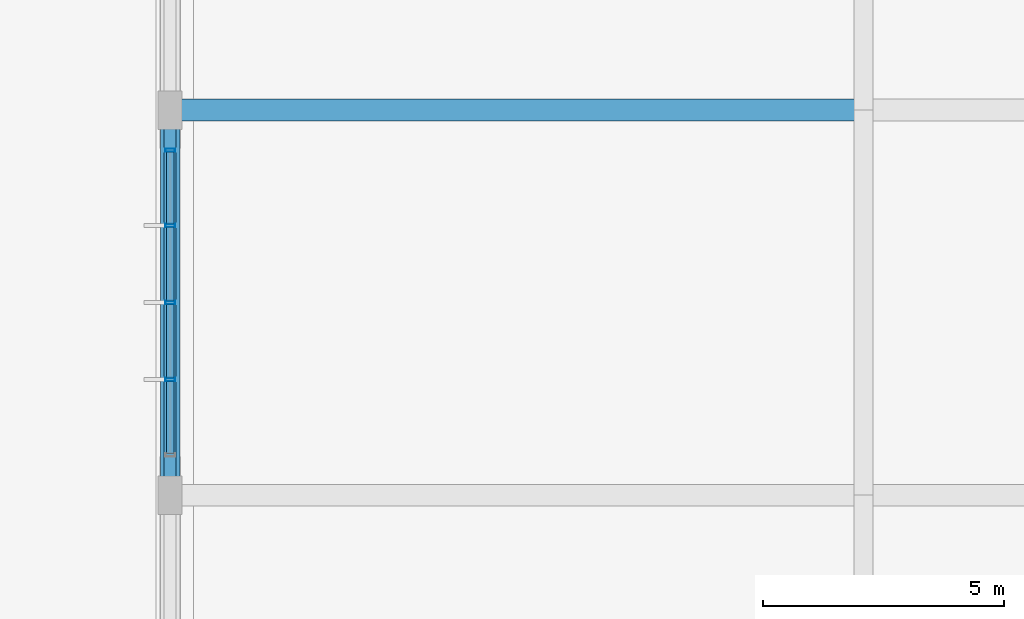
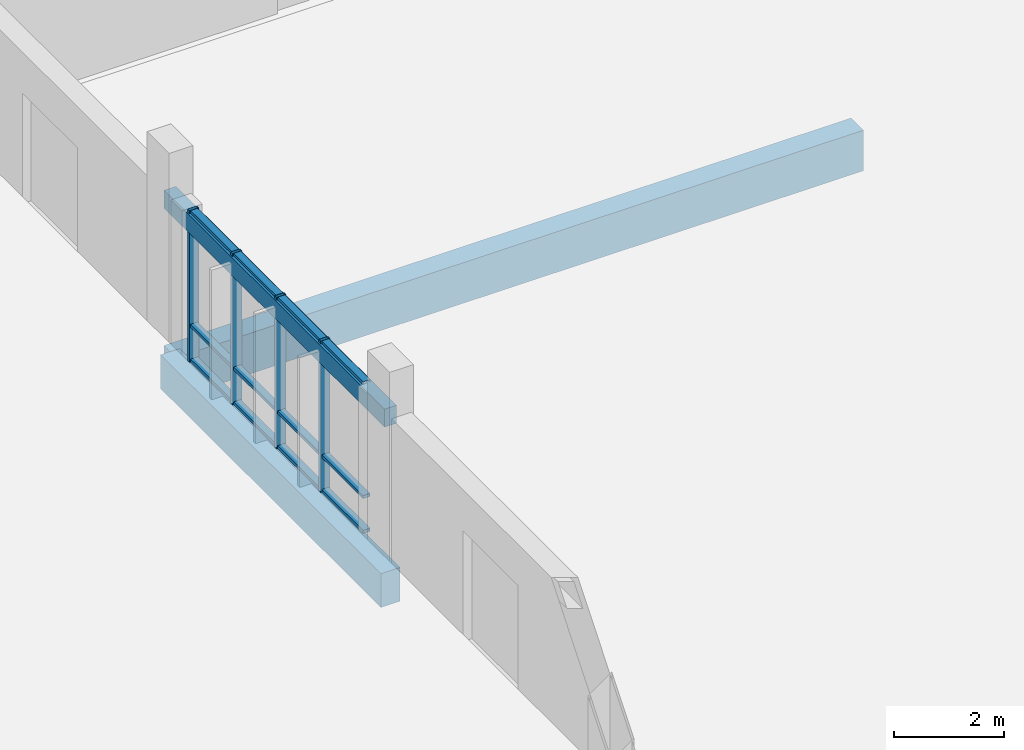
# One storey, part 60 of 233: 16 members, 3 beams, 1 element without a shape of its own.
"""IFC4 building model written with IfcOpenShell, lengths in metres."""

from ifc_helpers import new_model, si_unit, direction, frame, origin, origin_2d, place, context, subcontext, project, spatial, rectangle, hollow_rectangle, extrude, material, material_profile, profile_set, type_object, element, aggregate, save


model = new_model("IFC4")

# Units and contexts
model_context = context("Model", 3, precision=1e-05, world=origin(), true_north=direction((0.0, 1.0)))
body_context = subcontext(model_context, "Body", "Model", "MODEL_VIEW")
ifc_project = project(units=[si_unit("LENGTHUNIT", "METRE"), si_unit("AREAUNIT", "SQUARE_METRE"), si_unit("VOLUMEUNIT", "CUBIC_METRE"), si_unit("PLANEANGLEUNIT", "RADIAN"), si_unit("MASSUNIT", "GRAM", prefix="KILO")], contexts=[model_context])

# Site, building, storey
site_placement = place(None, origin())
site = spatial("IfcSite", under=ifc_project, at=site_placement, CompositionType="ELEMENT")
building_placement = place(site_placement, origin())
building = spatial("IfcBuilding", under=site, at=building_placement, Name="Zavelmont Quarter", CompositionType="ELEMENT")
storey_placement = place(building_placement, origin())
storey = spatial("IfcBuildingStorey", under=building, at=storey_placement, Name="L00", CompositionType="ELEMENT", Elevation=0.0)

# Beams
ifc_material_1 = material(Name="Concrete C35/45", Category="concrete")
ifc_material_profile_1 = material_profile(ifc_material_1, rectangle(XDim=0.25, YDim=0.39990234375, at=origin_2d()), Name="RC250X400")
ifc_profile_set_1 = profile_set([ifc_material_profile_1], Name="Concrete C35/45")
beam_type_1 = type_object("IfcBeamType", Name="BM04", PredefinedType="LINTEL", material=ifc_profile_set_1)
beam_1_placement = place(storey_placement, frame((55.199951171875, 46.0, 3.10009765625), z_axis=(0.0, 1.0, 0.0), x_axis=(-1.0, 0.0, 0.0)))
element("IfcBeam", 1, at=beam_1_placement, inside=storey, type_object=beam_type_1, Name="L00 beam BM04 9/H to 9/J", PredefinedType="LINTEL", context=body_context, shape_type="SweptSolid", body=[
    extrude(rectangle(XDim=0.25, YDim=0.39990234375, at=origin_2d()), origin(), (0.0, 0.0, 1.0), 8.0),
])
ifc_material_2 = material(Name="Concrete C40/50", Category="concrete")
ifc_material_profile_2 = material_profile(ifc_material_2, rectangle(XDim=0.39990234375, YDim=0.75, at=origin_2d()), Name="RC400X750")
ifc_profile_set_2 = profile_set([ifc_material_profile_2], Name="Concrete C40/50")
beam_type_2 = type_object("IfcBeamType", Name="BM05", PredefinedType="BEAM", material=ifc_profile_set_2)
beam_2_placement = place(storey_placement, frame((55.199951171875, 46.0, -0.695068359375), z_axis=(0.0, 1.0, 0.0), x_axis=(-1.0, 0.0, 0.0)))
element("IfcBeam", 2, at=beam_2_placement, inside=storey, type_object=beam_type_2, Name="L00 beam BM05 9/H to 9/J", PredefinedType="BEAM", context=body_context, shape_type="SweptSolid", body=[
    extrude(rectangle(XDim=0.39990234375, YDim=0.75, at=origin_2d()), origin(), (0.0, 0.0, 1.0), 8.0),
])
ifc_material_profile_3 = material_profile(ifc_material_2, rectangle(XDim=0.449951171875, YDim=0.89990234375, at=origin_2d()), Name="RC450X900")
ifc_profile_set_3 = profile_set([ifc_material_profile_3], Name="Concrete C40/50")
beam_type_3 = type_object("IfcBeamType", Name="BM06", PredefinedType="BEAM", material=ifc_profile_set_3)
beam_3_placement = place(storey_placement, frame((55.199951171875, 54.0, -0.77001953125), z_axis=(1.0, 0.0, 0.0), x_axis=(0.0, 1.0, 0.0)))
element("IfcBeam", 3, at=beam_3_placement, inside=storey, type_object=beam_type_3, Name="L00 beam BM06 9/J to 11/J", PredefinedType="BEAM", context=body_context, shape_type="SweptSolid", body=[
    extrude(rectangle(XDim=0.449951171875, YDim=0.89990234375, at=origin_2d()), origin(), (0.0, 0.0, 1.0), 14.400146484375),
])

# Curtain wall, members
ifc_material_3 = material(Name="Thermally broken aluminium and double low-E safety glazing", Category="aluminium")
curtain_wall_type = type_object("IfcCurtainWallType", Name="CW-640X336", PredefinedType="NOTDEFINED", material=ifc_material_3)
curtain_wall_placement = place(storey_placement, origin())
curtain_wall = element("IfcCurtainWall", 4, at=curtain_wall_placement, inside=storey, type_object=curtain_wall_type, Name="L00 unitised curtain wall CW-640X336", PredefinedType="NOTDEFINED")
ifc_material_4 = material(Name="Powder-coated aluminium EN AW-6063-T6", Category="aluminium")
ifc_material_profile_4 = material_profile(ifc_material_4, hollow_rectangle(XDim=0.070068359375, YDim=0.199951171875, WallThickness=0.0048828125, at=origin_2d()), Name="CWM70X200")
ifc_profile_set_4 = profile_set([ifc_material_profile_4], Name="Powder-coated aluminium EN AW-6063-T6")
member_type_1 = type_object("IfcMemberType", Name="CWM02", PredefinedType="MULLION", material=ifc_profile_set_4)
member_1_placement = place(storey_placement, frame((55.199951171875, 48.39990234375, 0.0), z_axis=(0.0, 0.0, 1.0), x_axis=(0.0, 1.0, 0.0)))
member_1 = element("IfcMember", 5, at=member_1_placement, type_object=member_type_1, Name="CW-640X336 mullion 2", PredefinedType="MULLION", context=body_context, shape_type="SweptSolid", body=[
    extrude(hollow_rectangle(XDim=0.070068359375, YDim=0.199951171875, WallThickness=0.0048828125, at=origin_2d()), origin(), (0.0, 0.0, 1.0), 3.360107421875),
])
member_2_placement = place(storey_placement, frame((55.199951171875, 50.0, 0.0), z_axis=(0.0, 0.0, 1.0), x_axis=(0.0, 1.0, 0.0)))
member_2 = element("IfcMember", 6, at=member_2_placement, type_object=member_type_1, Name="CW-640X336 mullion 3", PredefinedType="MULLION", context=body_context, shape_type="SweptSolid", body=[
    extrude(hollow_rectangle(XDim=0.070068359375, YDim=0.199951171875, WallThickness=0.0048828125, at=origin_2d()), origin(), (0.0, 0.0, 1.0), 3.360107421875),
])
member_3_placement = place(storey_placement, frame((55.199951171875, 51.60009765625, 0.0), z_axis=(0.0, 0.0, 1.0), x_axis=(0.0, 1.0, 0.0)))
member_3 = element("IfcMember", 7, at=member_3_placement, type_object=member_type_1, Name="CW-640X336 mullion 4", PredefinedType="MULLION", context=body_context, shape_type="SweptSolid", body=[
    extrude(hollow_rectangle(XDim=0.070068359375, YDim=0.199951171875, WallThickness=0.0048828125, at=origin_2d()), origin(), (0.0, 0.0, 1.0), 3.360107421875),
])
member_4_placement = place(storey_placement, frame((55.199951171875, 53.1650390625, 0.0), z_axis=(0.0, 0.0, 1.0), x_axis=(0.0, 1.0, 0.0)))
member_4 = element("IfcMember", 8, at=member_4_placement, type_object=member_type_1, Name="CW-640X336 mullion 5", PredefinedType="MULLION", context=body_context, shape_type="SweptSolid", body=[
    extrude(hollow_rectangle(XDim=0.070068359375, YDim=0.199951171875, WallThickness=0.0048828125, at=origin_2d()), origin(), (0.0, 0.0, 1.0), 3.360107421875),
])
ifc_material_profile_5 = material_profile(ifc_material_4, hollow_rectangle(XDim=0.14990234375, YDim=0.070068359375, WallThickness=0.00439453125, at=origin_2d()), Name="CWT70X150")
ifc_profile_set_5 = profile_set([ifc_material_profile_5], Name="Powder-coated aluminium EN AW-6063-T6")
member_type_2 = type_object("IfcMemberType", Name="CWT02", PredefinedType="NOTDEFINED", material=ifc_profile_set_5)
member_5_placement = place(storey_placement, frame((55.199951171875, 46.8701171875, 0.034912109375), z_axis=(0.0, 1.0, 0.0), x_axis=(-1.0, 0.0, 0.0)))
member_5 = element("IfcMember", 9, at=member_5_placement, type_object=member_type_2, Name="CW-640X336 transom 1.1", ObjectType="TRANSOM", PredefinedType="USERDEFINED", context=body_context, shape_type="SweptSolid", body=[
    extrude(hollow_rectangle(XDim=0.14990234375, YDim=0.070068359375, WallThickness=0.00439453125, at=origin_2d()), origin(), (0.0, 0.0, 1.0), 1.494873046875),
])
member_6_placement = place(storey_placement, frame((55.199951171875, 46.8701171875, 0.805908203125), z_axis=(0.0, 1.0, 0.0), x_axis=(-1.0, 0.0, 0.0)))
member_6 = element("IfcMember", 10, at=member_6_placement, type_object=member_type_2, Name="CW-640X336 transom 1.2", ObjectType="TRANSOM", PredefinedType="USERDEFINED", context=body_context, shape_type="SweptSolid", body=[
    extrude(hollow_rectangle(XDim=0.14990234375, YDim=0.070068359375, WallThickness=0.00439453125, at=origin_2d()), origin(), (0.0, 0.0, 1.0), 1.494873046875),
])
member_7_placement = place(storey_placement, frame((55.199951171875, 46.8701171875, 3.324951171875), z_axis=(0.0, 1.0, 0.0), x_axis=(-1.0, 0.0, 0.0)))
member_7 = element("IfcMember", 11, at=member_7_placement, type_object=member_type_2, Name="CW-640X336 transom 1.3", ObjectType="TRANSOM", PredefinedType="USERDEFINED", context=body_context, shape_type="SweptSolid", body=[
    extrude(hollow_rectangle(XDim=0.14990234375, YDim=0.070068359375, WallThickness=0.00439453125, at=origin_2d()), origin(), (0.0, 0.0, 1.0), 1.494873046875),
])
member_8_placement = place(storey_placement, frame((55.199951171875, 48.43505859375, 0.034912109375), z_axis=(0.0, 1.0, 0.0), x_axis=(-1.0, 0.0, 0.0)))
member_8 = element("IfcMember", 12, at=member_8_placement, type_object=member_type_2, Name="CW-640X336 transom 2.1", ObjectType="TRANSOM", PredefinedType="USERDEFINED", context=body_context, shape_type="SweptSolid", body=[
    extrude(hollow_rectangle(XDim=0.14990234375, YDim=0.070068359375, WallThickness=0.00439453125, at=origin_2d()), origin(), (0.0, 0.0, 1.0), 1.530029296875),
])
member_9_placement = place(storey_placement, frame((55.199951171875, 48.43505859375, 0.805908203125), z_axis=(0.0, 1.0, 0.0), x_axis=(-1.0, 0.0, 0.0)))
member_9 = element("IfcMember", 13, at=member_9_placement, type_object=member_type_2, Name="CW-640X336 transom 2.2", ObjectType="TRANSOM", PredefinedType="USERDEFINED", context=body_context, shape_type="SweptSolid", body=[
    extrude(hollow_rectangle(XDim=0.14990234375, YDim=0.070068359375, WallThickness=0.00439453125, at=origin_2d()), origin(), (0.0, 0.0, 1.0), 1.530029296875),
])
member_10_placement = place(storey_placement, frame((55.199951171875, 48.43505859375, 3.324951171875), z_axis=(0.0, 1.0, 0.0), x_axis=(-1.0, 0.0, 0.0)))
member_10 = element("IfcMember", 14, at=member_10_placement, type_object=member_type_2, Name="CW-640X336 transom 2.3", ObjectType="TRANSOM", PredefinedType="USERDEFINED", context=body_context, shape_type="SweptSolid", body=[
    extrude(hollow_rectangle(XDim=0.14990234375, YDim=0.070068359375, WallThickness=0.00439453125, at=origin_2d()), origin(), (0.0, 0.0, 1.0), 1.530029296875),
])
member_11_placement = place(storey_placement, frame((55.199951171875, 50.034912109375, 0.034912109375), z_axis=(0.0, 1.0, 0.0), x_axis=(-1.0, 0.0, 0.0)))
member_11 = element("IfcMember", 15, at=member_11_placement, type_object=member_type_2, Name="CW-640X336 transom 3.1", ObjectType="TRANSOM", PredefinedType="USERDEFINED", context=body_context, shape_type="SweptSolid", body=[
    extrude(hollow_rectangle(XDim=0.14990234375, YDim=0.070068359375, WallThickness=0.00439453125, at=origin_2d()), origin(), (0.0, 0.0, 1.0), 1.530029296875),
])
member_12_placement = place(storey_placement, frame((55.199951171875, 50.034912109375, 0.805908203125), z_axis=(0.0, 1.0, 0.0), x_axis=(-1.0, 0.0, 0.0)))
member_12 = element("IfcMember", 16, at=member_12_placement, type_object=member_type_2, Name="CW-640X336 transom 3.2", ObjectType="TRANSOM", PredefinedType="USERDEFINED", context=body_context, shape_type="SweptSolid", body=[
    extrude(hollow_rectangle(XDim=0.14990234375, YDim=0.070068359375, WallThickness=0.00439453125, at=origin_2d()), origin(), (0.0, 0.0, 1.0), 1.530029296875),
])
member_13_placement = place(storey_placement, frame((55.199951171875, 50.034912109375, 3.324951171875), z_axis=(0.0, 1.0, 0.0), x_axis=(-1.0, 0.0, 0.0)))
member_13 = element("IfcMember", 17, at=member_13_placement, type_object=member_type_2, Name="CW-640X336 transom 3.3", ObjectType="TRANSOM", PredefinedType="USERDEFINED", context=body_context, shape_type="SweptSolid", body=[
    extrude(hollow_rectangle(XDim=0.14990234375, YDim=0.070068359375, WallThickness=0.00439453125, at=origin_2d()), origin(), (0.0, 0.0, 1.0), 1.530029296875),
])
member_14_placement = place(storey_placement, frame((55.199951171875, 51.635009765625, 0.034912109375), z_axis=(0.0, 1.0, 0.0), x_axis=(-1.0, 0.0, 0.0)))
member_14 = element("IfcMember", 18, at=member_14_placement, type_object=member_type_2, Name="CW-640X336 transom 4.1", ObjectType="TRANSOM", PredefinedType="USERDEFINED", context=body_context, shape_type="SweptSolid", body=[
    extrude(hollow_rectangle(XDim=0.14990234375, YDim=0.070068359375, WallThickness=0.00439453125, at=origin_2d()), origin(), (0.0, 0.0, 1.0), 1.494873046875),
])
member_15_placement = place(storey_placement, frame((55.199951171875, 51.635009765625, 0.805908203125), z_axis=(0.0, 1.0, 0.0), x_axis=(-1.0, 0.0, 0.0)))
member_15 = element("IfcMember", 19, at=member_15_placement, type_object=member_type_2, Name="CW-640X336 transom 4.2", ObjectType="TRANSOM", PredefinedType="USERDEFINED", context=body_context, shape_type="SweptSolid", body=[
    extrude(hollow_rectangle(XDim=0.14990234375, YDim=0.070068359375, WallThickness=0.00439453125, at=origin_2d()), origin(), (0.0, 0.0, 1.0), 1.494873046875),
])
member_16_placement = place(storey_placement, frame((55.199951171875, 51.635009765625, 3.324951171875), z_axis=(0.0, 1.0, 0.0), x_axis=(-1.0, 0.0, 0.0)))
member_16 = element("IfcMember", 20, at=member_16_placement, type_object=member_type_2, Name="CW-640X336 transom 4.3", ObjectType="TRANSOM", PredefinedType="USERDEFINED", context=body_context, shape_type="SweptSolid", body=[
    extrude(hollow_rectangle(XDim=0.14990234375, YDim=0.070068359375, WallThickness=0.00439453125, at=origin_2d()), origin(), (0.0, 0.0, 1.0), 1.494873046875),
])
aggregate(curtain_wall, [member_1, member_2, member_3, member_4, member_5, member_6, member_7, member_8, member_9, member_10, member_11, member_12, member_13, member_14, member_15, member_16])

save(model, "model.ifc")
